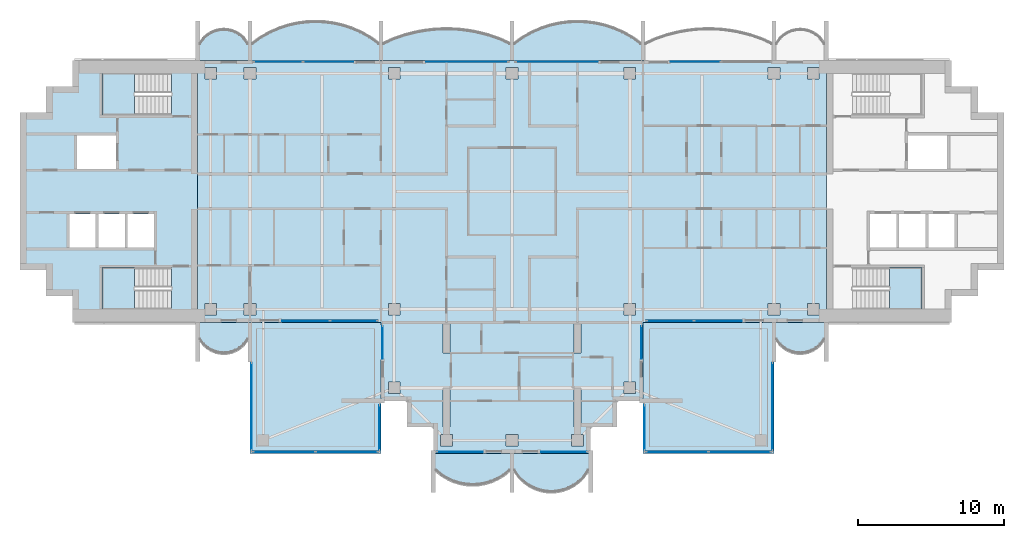
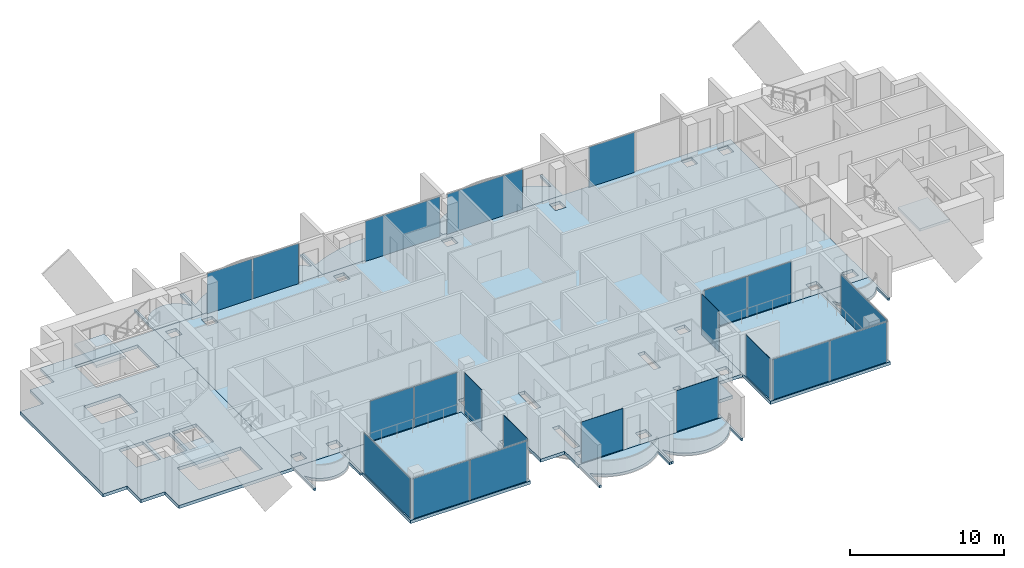
# One storey, part 5 of 16: 21 plates, 15 slabs, 19 elements without a shape of their own.
"""IFC4 building model written with IfcOpenShell, lengths in metres."""

from ifc_helpers import new_model, si_unit, direction, frame, origin, origin_2d, place, context, subcontext, project, spatial, polyline, rectangle, outline, extrude, material, layer, layer_set, type_object, element, aggregate, save


model = new_model("IFC4")

# Units and contexts
model_context = context("Model", 3, precision=1e-05, world=origin(), true_north=direction((0.0, 1.0)))
body_context = subcontext(model_context, "Body", "Model", "MODEL_VIEW")
ifc_project = project(units=[si_unit("LENGTHUNIT", "METRE"), si_unit("AREAUNIT", "SQUARE_METRE"), si_unit("VOLUMEUNIT", "CUBIC_METRE"), si_unit("PLANEANGLEUNIT", "RADIAN"), si_unit("MASSUNIT", "GRAM", prefix="KILO")], contexts=[model_context])

# Site, building, storey
site_placement = place(None, origin())
site = spatial("IfcSite", under=ifc_project, at=site_placement, CompositionType="ELEMENT")
building_placement = place(site_placement, origin())
building = spatial("IfcBuilding", under=site, at=building_placement, Name="Perihelion Cross Residences", CompositionType="ELEMENT")
storey_placement = place(building_placement, frame((0.0, 0.0, 250.0)))
storey = spatial("IfcBuildingStorey", under=building, at=storey_placement, Name="L63", CompositionType="ELEMENT", Elevation=250.0)

# Slabs
ifc_material_1 = material(Name="Concrete C40/50", Category="concrete")
ifc_layer_1 = layer(ifc_material_1, 0.199951171875)
ifc_layer_set_1 = layer_set([ifc_layer_1], Name="Balcony slab 200")
slab_type_1 = type_object("IfcSlabType", Name="Balcony slab 200", PredefinedType="FLOOR", material=ifc_layer_set_1)
slab_1_placement = place(storey_placement, frame((0.0, 0.0, -0.199951171875)))
element("IfcSlab", 1, at=slab_1_placement, inside=storey, type_object=slab_type_1, Name="Slab BK1 L63 north side east bay 1 balcony", PredefinedType="FLOOR", context=body_context, shape_type="SweptSolid", body=[
    extrude(outline(polyline([(9.0, 9.0), (0.0, 9.0), (0.0, 11.699951171875), (0.14990234375, 11.699951171875), (0.14990234375, 10.199951171875), (0.771484375, 10.634765625), (1.392822265625, 10.979248046875), (2.014404296875, 11.247802734375), (2.6357421875, 11.44921875), (3.257080078125, 11.589599609375), (3.878662109375, 11.672607421875), (4.5, 11.699951171875), (5.121337890625, 11.672607421875), (5.742919921875, 11.589599609375), (6.3642578125, 11.44921875), (6.985595703125, 11.247802734375), (7.607177734375, 10.979248046875), (8.228515625, 10.634765625), (8.85009765625, 10.199951171875), (8.85009765625, 11.699951171875), (9.0, 11.699951171875), (9.0, 9.0)])), origin(), (0.0, 0.0, 1.0), 0.199951171875),
])
slab_2_placement = place(storey_placement, frame((0.0, 0.0, -0.199951171875)))
element("IfcSlab", 2, at=slab_2_placement, inside=storey, type_object=slab_type_1, Name="Slab BK1 L63 north side east bay 2 balcony", PredefinedType="FLOOR", context=body_context, shape_type="SweptSolid", body=[
    extrude(outline(polyline([(0.0, 9.0), (-9.0, 9.0), (-9.0, 11.699951171875), (-8.85009765625, 11.699951171875), (-8.85009765625, 10.199951171875), (-8.125, 10.51708984375), (-7.39990234375, 10.7685546875), (-6.675048828125, 10.959716796875), (-5.949951171875, 11.093994140625), (-5.22509765625, 11.173583984375), (-4.5, 11.199951171875), (-3.77490234375, 11.173583984375), (-3.050048828125, 11.093994140625), (-2.324951171875, 10.959716796875), (-1.60009765625, 10.7685546875), (-0.875, 10.51708984375), (-0.14990234375, 10.199951171875), (-0.14990234375, 11.699951171875), (0.0, 11.699951171875), (0.0, 9.0)])), origin(), (0.0, 0.0, 1.0), 0.199951171875),
])
slab_3_placement = place(storey_placement, frame((0.0, 0.0, -0.199951171875)))
element("IfcSlab", 3, at=slab_3_placement, inside=storey, type_object=slab_type_1, Name="Slab BK1 L63 west side north bay 1 balcony", PredefinedType="FLOOR", context=body_context, shape_type="SweptSolid", body=[
    extrude(outline(polyline([(-9.0, 9.0), (-18.0, 9.0), (-18.0, 11.699951171875), (-17.85009765625, 11.699951171875), (-17.85009765625, 10.199951171875), (-17.228515625, 10.634765625), (-16.607177734375, 10.979248046875), (-15.985595703125, 11.247802734375), (-15.3642578125, 11.44921875), (-14.742919921875, 11.589599609375), (-14.121337890625, 11.672607421875), (-13.5, 11.699951171875), (-12.878662109375, 11.672607421875), (-12.257080078125, 11.589599609375), (-11.6357421875, 11.44921875), (-11.014404296875, 11.247802734375), (-10.392822265625, 10.979248046875), (-9.771484375, 10.634765625), (-9.14990234375, 10.199951171875), (-9.14990234375, 11.699951171875), (-9.0, 11.699951171875), (-9.0, 9.0)])), origin(), (0.0, 0.0, 1.0), 0.199951171875),
])
slab_4_placement = place(storey_placement, frame((0.0, 0.0, -0.199951171875)))
element("IfcSlab", 4, at=slab_4_placement, inside=storey, type_object=slab_type_1, Name="Slab BK1 L63 west side north bay 2 balcony", PredefinedType="FLOOR", context=body_context, shape_type="SweptSolid", body=[
    extrude(outline(polyline([(-18.0, 9.0), (-21.60009765625, 9.0), (-21.60009765625, 11.699951171875), (-21.449951171875, 11.699951171875), (-21.449951171875, 10.199951171875), (-21.175048828125, 10.568603515625), (-20.89990234375, 10.806396484375), (-20.625, 10.96875), (-20.35009765625, 11.07568359375), (-20.074951171875, 11.136962890625), (-19.800048828125, 11.156982421875), (-19.52490234375, 11.136962890625), (-19.25, 11.07568359375), (-18.97509765625, 10.96875), (-18.699951171875, 10.806396484375), (-18.425048828125, 10.568603515625), (-18.14990234375, 10.199951171875), (-18.14990234375, 11.699951171875), (-18.0, 11.699951171875), (-18.0, 9.0)])), origin(), (0.0, 0.0, 1.0), 0.199951171875),
])
slab_5_placement = place(storey_placement, frame((0.0, 0.0, -0.199951171875)))
element("IfcSlab", 5, at=slab_5_placement, inside=storey, type_object=slab_type_1, Name="Slab BK1 L63 west side south bay 1 balcony", PredefinedType="FLOOR", context=body_context, shape_type="SweptSolid", body=[
    extrude(outline(polyline([(-21.60009765625, -9.0), (-18.0, -9.0), (-18.0, -11.699951171875), (-18.14990234375, -11.699951171875), (-18.14990234375, -10.199951171875), (-18.425048828125, -10.568603515625), (-18.699951171875, -10.806396484375), (-18.97509765625, -10.96875), (-19.25, -11.07568359375), (-19.52490234375, -11.136962890625), (-19.800048828125, -11.156982421875), (-20.074951171875, -11.136962890625), (-20.35009765625, -11.07568359375), (-20.625, -10.96875), (-20.89990234375, -10.806396484375), (-21.175048828125, -10.568603515625), (-21.449951171875, -10.199951171875), (-21.449951171875, -11.699951171875), (-21.60009765625, -11.699951171875), (-21.60009765625, -9.0)])), origin(), (0.0, 0.0, 1.0), 0.199951171875),
])
slab_6_placement = place(storey_placement, frame((0.0, 0.0, -0.199951171875)))
element("IfcSlab", 6, at=slab_6_placement, inside=storey, type_object=slab_type_1, Name="Slab BK1 L63 south tip south bay 1 balcony", PredefinedType="FLOOR", context=body_context, shape_type="SweptSolid", body=[
    extrude(outline(polyline([(-5.39990234375, -18.0), (0.0, -18.0), (0.0, -20.699951171875), (-0.14990234375, -20.699951171875), (-0.14990234375, -19.199951171875), (-0.574951171875, -19.5400390625), (-1.0, -19.792724609375), (-1.425048828125, -19.9765625), (-1.85009765625, -20.1025390625), (-2.27490234375, -20.17578125), (-2.699951171875, -20.199951171875), (-3.125, -20.17578125), (-3.550048828125, -20.1025390625), (-3.97509765625, -19.9765625), (-4.39990234375, -19.792724609375), (-4.824951171875, -19.5400390625), (-5.25, -19.199951171875), (-5.25, -20.699951171875), (-5.39990234375, -20.699951171875), (-5.39990234375, -18.0)])), origin(), (0.0, 0.0, 1.0), 0.199951171875),
])
slab_7_placement = place(storey_placement, frame((0.0, 0.0, -0.199951171875)))
element("IfcSlab", 7, at=slab_7_placement, inside=storey, type_object=slab_type_1, Name="Slab BK1 L63 south tip south bay 2 balcony", PredefinedType="FLOOR", context=body_context, shape_type="SweptSolid", body=[
    extrude(outline(polyline([(0.0, -18.0), (5.39990234375, -18.0), (5.39990234375, -20.699951171875), (5.25, -20.699951171875), (5.25, -19.199951171875), (4.909912109375, -19.6767578125), (4.570068359375, -20.007080078125), (4.22998046875, -20.2490234375), (3.889892578125, -20.42724609375), (3.550048828125, -20.553466796875), (3.2099609375, -20.63427734375), (2.8701171875, -20.674072265625), (2.530029296875, -20.674072265625), (2.18994140625, -20.63427734375), (1.85009765625, -20.553466796875), (1.510009765625, -20.42724609375), (1.169921875, -20.2490234375), (0.830078125, -20.007080078125), (0.489990234375, -19.6767578125), (0.14990234375, -19.199951171875), (0.14990234375, -20.699951171875), (0.0, -20.699951171875), (0.0, -18.0)])), origin(), (0.0, 0.0, 1.0), 0.199951171875),
])
slab_8_placement = place(storey_placement, frame((0.0, 0.0, -0.199951171875)))
element("IfcSlab", 8, at=slab_8_placement, inside=storey, type_object=slab_type_1, Name="Slab BK1 L63 east side south bay 2 balcony", PredefinedType="FLOOR", context=body_context, shape_type="SweptSolid", body=[
    extrude(outline(polyline([(18.0, -9.0), (21.60009765625, -9.0), (21.60009765625, -11.699951171875), (21.449951171875, -11.699951171875), (21.449951171875, -10.199951171875), (21.175048828125, -10.568603515625), (20.89990234375, -10.806396484375), (20.625, -10.96875), (20.35009765625, -11.07568359375), (20.074951171875, -11.136962890625), (19.800048828125, -11.156982421875), (19.52490234375, -11.136962890625), (19.25, -11.07568359375), (18.97509765625, -10.96875), (18.699951171875, -10.806396484375), (18.425048828125, -10.568603515625), (18.14990234375, -10.199951171875), (18.14990234375, -11.699951171875), (18.0, -11.699951171875), (18.0, -9.0)])), origin(), (0.0, 0.0, 1.0), 0.199951171875),
])

# Curtain wall, plate
ifc_material_2 = material(Name="Bronze anodised aluminium, tinted glazing", Category="aluminium")
curtain_wall_type_1 = type_object("IfcCurtainWallType", Name="CW1", PredefinedType="NOTDEFINED", material=ifc_material_2)
curtain_wall_1_placement = place(storey_placement, origin())
curtain_wall_1 = element("IfcCurtainWall", 9, at=curtain_wall_1_placement, inside=storey, type_object=curtain_wall_type_1, Name="Curtain wall CW1 L63 east side north bay 2", PredefinedType="NOTDEFINED")
ifc_material_3 = material(Name="Tinted laminated glass", Category="glass")
ifc_layer_2 = layer(ifc_material_3, 0.028076171875)
ifc_layer_set_2 = layer_set([ifc_layer_2], Name="CW1 panel")
plate_type_1 = type_object("IfcPlateType", Name="CW1 panel", PredefinedType="CURTAIN_PANEL", material=ifc_layer_set_2)
plate_1_placement = place(storey_placement, frame((12.610107421875, 8.89990234375, 0.0), z_axis=(0.0, 0.0, 1.0), x_axis=(-1.0, 0.0, 0.0)))
plate_1 = element("IfcPlate", 10, at=plate_1_placement, type_object=plate_type_1, Name="CW1 panel 2", PredefinedType="CURTAIN_PANEL", context=body_context, shape_type="SweptSolid", body=[
    extrude(rectangle(XDim=3.419921875, YDim=0.028076171875, at=origin_2d()), origin(), (0.0, 0.0, 1.0), 3.18994140625),
])
aggregate(curtain_wall_1, [plate_1])

curtain_wall_2_placement = place(storey_placement, origin())
curtain_wall_2 = element("IfcCurtainWall", 11, at=curtain_wall_2_placement, inside=storey, type_object=curtain_wall_type_1, Name="Curtain wall CW1 L63 north side east bay 1", PredefinedType="NOTDEFINED")
plate_2_placement = place(storey_placement, frame((3.080078125, 8.89990234375, 0.0), z_axis=(0.0, 0.0, 1.0), x_axis=(-1.0, 0.0, 0.0)))
plate_2 = element("IfcPlate", 12, at=plate_2_placement, type_object=plate_type_1, Name="CW1 panel 1", PredefinedType="CURTAIN_PANEL", context=body_context, shape_type="SweptSolid", body=[
    extrude(rectangle(XDim=5.639892578125, YDim=0.028076171875, at=origin_2d()), origin(), (0.0, 0.0, 1.0), 3.18994140625),
])
aggregate(curtain_wall_2, [plate_2])

curtain_wall_3_placement = place(storey_placement, origin())
curtain_wall_3 = element("IfcCurtainWall", 13, at=curtain_wall_3_placement, inside=storey, type_object=curtain_wall_type_1, Name="Curtain wall CW1 L63 north side east bay 2", PredefinedType="NOTDEFINED")
plate_3_placement = place(storey_placement, frame((-3.080078125, 8.89990234375, 0.0), z_axis=(0.0, 0.0, 1.0), x_axis=(-1.0, 0.0, 0.0)))
plate_3 = element("IfcPlate", 14, at=plate_3_placement, type_object=plate_type_1, Name="CW1 panel 1", PredefinedType="CURTAIN_PANEL", context=body_context, shape_type="SweptSolid", body=[
    extrude(rectangle(XDim=5.639892578125, YDim=0.028076171875, at=origin_2d()), origin(), (0.0, 0.0, 1.0), 3.18994140625),
])
aggregate(curtain_wall_3, [plate_3])

# Curtain wall, plates
curtain_wall_4_placement = place(storey_placement, origin())
curtain_wall_4 = element("IfcCurtainWall", 15, at=curtain_wall_4_placement, inside=storey, type_object=curtain_wall_type_1, Name="Curtain wall CW1 L63 west side north bay 1", PredefinedType="NOTDEFINED")
plate_4_placement = place(storey_placement, frame((-12.610107421875, 8.89990234375, 0.0), z_axis=(0.0, 0.0, 1.0), x_axis=(-1.0, 0.0, 0.0)))
plate_4 = element("IfcPlate", 16, at=plate_4_placement, type_object=plate_type_1, Name="CW1 panel 1", PredefinedType="CURTAIN_PANEL", context=body_context, shape_type="SweptSolid", body=[
    extrude(rectangle(XDim=3.419921875, YDim=0.028076171875, at=origin_2d()), origin(), (0.0, 0.0, 1.0), 3.18994140625),
])
plate_5_placement = place(storey_placement, frame((-16.06005859375, 8.89990234375, 0.0), z_axis=(0.0, 0.0, 1.0), x_axis=(-1.0, 0.0, 0.0)))
plate_5 = element("IfcPlate", 17, at=plate_5_placement, type_object=plate_type_1, Name="CW1 panel 2", PredefinedType="CURTAIN_PANEL", context=body_context, shape_type="SweptSolid", body=[
    extrude(rectangle(XDim=3.360107421875, YDim=0.028076171875, at=origin_2d()), origin(), (0.0, 0.0, 1.0), 3.18994140625),
])
aggregate(curtain_wall_4, [plate_4, plate_5])

curtain_wall_5_placement = place(storey_placement, origin())
curtain_wall_5 = element("IfcCurtainWall", 18, at=curtain_wall_5_placement, inside=storey, type_object=curtain_wall_type_1, Name="Curtain wall CW1 L63 west side south bay 2", PredefinedType="NOTDEFINED")
plate_6_placement = place(storey_placement, frame((-14.1650390625, -8.89990234375, 0.0), z_axis=(0.0, 0.0, 1.0), x_axis=(1.0, 0.0, 0.0)))
plate_6 = element("IfcPlate", 19, at=plate_6_placement, type_object=plate_type_1, Name="CW1 panel 1", PredefinedType="CURTAIN_PANEL", context=body_context, shape_type="SweptSolid", body=[
    extrude(rectangle(XDim=3.27001953125, YDim=0.028076171875, at=origin_2d()), origin(), (0.0, 0.0, 1.0), 3.18994140625),
])
plate_7_placement = place(storey_placement, frame((-10.864990234375, -8.89990234375, 0.0), z_axis=(0.0, 0.0, 1.0), x_axis=(1.0, 0.0, 0.0)))
plate_7 = element("IfcPlate", 20, at=plate_7_placement, type_object=plate_type_1, Name="CW1 panel 2", PredefinedType="CURTAIN_PANEL", context=body_context, shape_type="SweptSolid", body=[
    extrude(rectangle(XDim=3.2099609375, YDim=0.028076171875, at=origin_2d()), origin(), (0.0, 0.0, 1.0), 3.18994140625),
])
aggregate(curtain_wall_5, [plate_6, plate_7])

# Curtain wall, plate
curtain_wall_6_placement = place(storey_placement, origin())
curtain_wall_6 = element("IfcCurtainWall", 21, at=curtain_wall_6_placement, inside=storey, type_object=curtain_wall_type_1, Name="Curtain wall CW1 L63 south side west bay 1", PredefinedType="NOTDEFINED")
plate_8_placement = place(storey_placement, frame((-8.89990234375, -10.3798828125, 0.0), z_axis=(0.0, 0.0, 1.0), x_axis=(0.0, -1.0, 0.0)))
plate_8 = element("IfcPlate", 22, at=plate_8_placement, type_object=plate_type_1, Name="CW1 panel 1", PredefinedType="CURTAIN_PANEL", context=body_context, shape_type="SweptSolid", body=[
    extrude(rectangle(XDim=2.239990234375, YDim=0.028076171875, at=origin_2d()), origin(), (0.0, 0.0, 1.0), 3.25),
])
aggregate(curtain_wall_6, [plate_8])

curtain_wall_7_placement = place(storey_placement, origin())
curtain_wall_7 = element("IfcCurtainWall", 23, at=curtain_wall_7_placement, inside=storey, type_object=curtain_wall_type_1, Name="Curtain wall CW1 L63 south tip south bay 1", PredefinedType="NOTDEFINED")
plate_9_placement = place(storey_placement, frame((-3.570068359375, -17.89990234375, 0.0), z_axis=(0.0, 0.0, 1.0), x_axis=(1.0, 0.0, 0.0)))
plate_9 = element("IfcPlate", 24, at=plate_9_placement, type_object=plate_type_1, Name="CW1 panel 1", PredefinedType="CURTAIN_PANEL", context=body_context, shape_type="SweptSolid", body=[
    extrude(rectangle(XDim=3.139892578125, YDim=0.028076171875, at=origin_2d()), origin(), (0.0, 0.0, 1.0), 3.25),
])
aggregate(curtain_wall_7, [plate_9])

curtain_wall_8_placement = place(storey_placement, origin())
curtain_wall_8 = element("IfcCurtainWall", 25, at=curtain_wall_8_placement, inside=storey, type_object=curtain_wall_type_1, Name="Curtain wall CW1 L63 south tip south bay 2", PredefinedType="NOTDEFINED")
plate_10_placement = place(storey_placement, frame((3.570068359375, -17.89990234375, 0.0), z_axis=(0.0, 0.0, 1.0), x_axis=(1.0, 0.0, 0.0)))
plate_10 = element("IfcPlate", 26, at=plate_10_placement, type_object=plate_type_1, Name="CW1 panel 1", PredefinedType="CURTAIN_PANEL", context=body_context, shape_type="SweptSolid", body=[
    extrude(rectangle(XDim=3.139892578125, YDim=0.028076171875, at=origin_2d()), origin(), (0.0, 0.0, 1.0), 3.25),
])
aggregate(curtain_wall_8, [plate_10])

curtain_wall_9_placement = place(storey_placement, origin())
curtain_wall_9 = element("IfcCurtainWall", 27, at=curtain_wall_9_placement, inside=storey, type_object=curtain_wall_type_1, Name="Curtain wall CW1 L63 south side east bay 1", PredefinedType="NOTDEFINED")
plate_11_placement = place(storey_placement, frame((8.89990234375, -10.3798828125, 0.0), z_axis=(0.0, 0.0, 1.0), x_axis=(0.0, 1.0, 0.0)))
plate_11 = element("IfcPlate", 28, at=plate_11_placement, type_object=plate_type_1, Name="CW1 panel 1", PredefinedType="CURTAIN_PANEL", context=body_context, shape_type="SweptSolid", body=[
    extrude(rectangle(XDim=2.239990234375, YDim=0.028076171875, at=origin_2d()), origin(), (0.0, 0.0, 1.0), 3.25),
])
aggregate(curtain_wall_9, [plate_11])

# Curtain wall, plates
curtain_wall_10_placement = place(storey_placement, origin())
curtain_wall_10 = element("IfcCurtainWall", 29, at=curtain_wall_10_placement, inside=storey, type_object=curtain_wall_type_1, Name="Curtain wall CW1 L63 east side south bay 1", PredefinedType="NOTDEFINED")
plate_12_placement = place(storey_placement, frame((10.864990234375, -8.89990234375, 0.0), z_axis=(0.0, 0.0, 1.0), x_axis=(1.0, 0.0, 0.0)))
plate_12 = element("IfcPlate", 30, at=plate_12_placement, type_object=plate_type_1, Name="CW1 panel 1", PredefinedType="CURTAIN_PANEL", context=body_context, shape_type="SweptSolid", body=[
    extrude(rectangle(XDim=3.2099609375, YDim=0.028076171875, at=origin_2d()), origin(), (0.0, 0.0, 1.0), 3.18994140625),
])
plate_13_placement = place(storey_placement, frame((14.1650390625, -8.89990234375, 0.0), z_axis=(0.0, 0.0, 1.0), x_axis=(1.0, 0.0, 0.0)))
plate_13 = element("IfcPlate", 31, at=plate_13_placement, type_object=plate_type_1, Name="CW1 panel 2", PredefinedType="CURTAIN_PANEL", context=body_context, shape_type="SweptSolid", body=[
    extrude(rectangle(XDim=3.27001953125, YDim=0.028076171875, at=origin_2d()), origin(), (0.0, 0.0, 1.0), 3.18994140625),
])
aggregate(curtain_wall_10, [plate_12, plate_13])

# Curtain wall, plate
ifc_material_4 = material(Name="Bronze anodised aluminium, tinted glazing", Category="aluminium")
curtain_wall_type_2 = type_object("IfcCurtainWallType", Name="CW4", PredefinedType="NOTDEFINED", material=ifc_material_4)
curtain_wall_11_placement = place(storey_placement, origin())
curtain_wall_11 = element("IfcCurtainWall", 32, at=curtain_wall_11_placement, inside=storey, type_object=curtain_wall_type_2, Name="Curtain wall CW4 L63 pocket south-east 1 1", PredefinedType="NOTDEFINED")
ifc_material_5 = material(Name="Tinted laminated glass", Category="glass")
ifc_layer_3 = layer(ifc_material_5, 0.030029296875)
ifc_layer_set_3 = layer_set([ifc_layer_3], Name="CW4 panel")
plate_type_2 = type_object("IfcPlateType", Name="CW4 panel", PredefinedType="CURTAIN_PANEL", material=ifc_layer_set_3)
plate_14_placement = place(storey_placement, frame((17.89990234375, -14.784912109375, 0.0), z_axis=(0.0, 0.0, 1.0), x_axis=(0.0, -1.0, 0.0)))
plate_14 = element("IfcPlate", 33, at=plate_14_placement, type_object=plate_type_2, Name="CW4 panel 1", PredefinedType="CURTAIN_PANEL", context=body_context, shape_type="SweptSolid", body=[
    extrude(rectangle(XDim=5.969970703125, YDim=0.030029296875, at=origin_2d()), origin(), (0.0, 0.0, 1.0), 3.18994140625),
])
aggregate(curtain_wall_11, [plate_14])

# Curtain wall, plates
curtain_wall_12_placement = place(storey_placement, origin())
curtain_wall_12 = element("IfcCurtainWall", 34, at=curtain_wall_12_placement, inside=storey, type_object=curtain_wall_type_2, Name="Curtain wall CW4 L63 pocket south-east 1 2", PredefinedType="NOTDEFINED")
plate_15_placement = place(storey_placement, frame((15.64990234375, -17.89990234375, 0.0), z_axis=(0.0, 0.0, 1.0), x_axis=(-1.0, 0.0, 0.0)))
plate_15 = element("IfcPlate", 35, at=plate_15_placement, type_object=plate_type_2, Name="CW4 panel 1", PredefinedType="CURTAIN_PANEL", context=body_context, shape_type="SweptSolid", body=[
    extrude(rectangle(XDim=4.239990234375, YDim=0.030029296875, at=origin_2d()), origin(), (0.0, 0.0, 1.0), 3.18994140625),
])
plate_16_placement = place(storey_placement, frame((11.35009765625, -17.89990234375, 0.0), z_axis=(0.0, 0.0, 1.0), x_axis=(-1.0, 0.0, 0.0)))
plate_16 = element("IfcPlate", 36, at=plate_16_placement, type_object=plate_type_2, Name="CW4 panel 2", PredefinedType="CURTAIN_PANEL", context=body_context, shape_type="SweptSolid", body=[
    extrude(rectangle(XDim=4.239990234375, YDim=0.030029296875, at=origin_2d()), origin(), (0.0, 0.0, 1.0), 3.18994140625),
])
aggregate(curtain_wall_12, [plate_15, plate_16])

# Curtain wall, plate
curtain_wall_13_placement = place(storey_placement, origin())
curtain_wall_13 = element("IfcCurtainWall", 37, at=curtain_wall_13_placement, inside=storey, type_object=curtain_wall_type_2, Name="Curtain wall CW4 L63 pocket south-east 1 3", PredefinedType="NOTDEFINED")
plate_17_placement = place(storey_placement, frame((9.10009765625, -16.2294921875, 0.0), z_axis=(0.0, 0.0, 1.0), x_axis=(0.0, 1.0, 0.0)))
plate_17 = element("IfcPlate", 38, at=plate_17_placement, type_object=plate_type_2, Name="CW4 panel 1", PredefinedType="CURTAIN_PANEL", context=body_context, shape_type="SweptSolid", body=[
    extrude(rectangle(XDim=3.0810546875, YDim=0.030029296875, at=origin_2d()), origin(), (0.0, 0.0, 1.0), 3.25),
])
aggregate(curtain_wall_13, [plate_17])

curtain_wall_14_placement = place(storey_placement, origin())
curtain_wall_14 = element("IfcCurtainWall", 39, at=curtain_wall_14_placement, inside=storey, type_object=curtain_wall_type_2, Name="Curtain wall CW4 L63 pocket south-west 1 1", PredefinedType="NOTDEFINED")
plate_18_placement = place(storey_placement, frame((-9.10009765625, -16.2294921875, 0.0), z_axis=(0.0, 0.0, 1.0), x_axis=(0.0, -1.0, 0.0)))
plate_18 = element("IfcPlate", 40, at=plate_18_placement, type_object=plate_type_2, Name="CW4 panel 1", PredefinedType="CURTAIN_PANEL", context=body_context, shape_type="SweptSolid", body=[
    extrude(rectangle(XDim=3.0810546875, YDim=0.030029296875, at=origin_2d()), origin(), (0.0, 0.0, 1.0), 3.25),
])
aggregate(curtain_wall_14, [plate_18])

# Curtain wall, plates
curtain_wall_15_placement = place(storey_placement, origin())
curtain_wall_15 = element("IfcCurtainWall", 41, at=curtain_wall_15_placement, inside=storey, type_object=curtain_wall_type_2, Name="Curtain wall CW4 L63 pocket south-west 1 2", PredefinedType="NOTDEFINED")
plate_19_placement = place(storey_placement, frame((-11.35009765625, -17.89990234375, 0.0), z_axis=(0.0, 0.0, 1.0), x_axis=(-1.0, 0.0, 0.0)))
plate_19 = element("IfcPlate", 42, at=plate_19_placement, type_object=plate_type_2, Name="CW4 panel 1", PredefinedType="CURTAIN_PANEL", context=body_context, shape_type="SweptSolid", body=[
    extrude(rectangle(XDim=4.239990234375, YDim=0.030029296875, at=origin_2d()), origin(), (0.0, 0.0, 1.0), 3.18994140625),
])
plate_20_placement = place(storey_placement, frame((-15.64990234375, -17.89990234375, 0.0), z_axis=(0.0, 0.0, 1.0), x_axis=(-1.0, 0.0, 0.0)))
plate_20 = element("IfcPlate", 43, at=plate_20_placement, type_object=plate_type_2, Name="CW4 panel 2", PredefinedType="CURTAIN_PANEL", context=body_context, shape_type="SweptSolid", body=[
    extrude(rectangle(XDim=4.239990234375, YDim=0.030029296875, at=origin_2d()), origin(), (0.0, 0.0, 1.0), 3.18994140625),
])
aggregate(curtain_wall_15, [plate_19, plate_20])

# Curtain wall, plate
curtain_wall_16_placement = place(storey_placement, origin())
curtain_wall_16 = element("IfcCurtainWall", 44, at=curtain_wall_16_placement, inside=storey, type_object=curtain_wall_type_2, Name="Curtain wall CW4 L63 pocket south-west 1 3", PredefinedType="NOTDEFINED")
plate_21_placement = place(storey_placement, frame((-17.89990234375, -14.784912109375, 0.0), z_axis=(0.0, 0.0, 1.0), x_axis=(0.0, 1.0, 0.0)))
plate_21 = element("IfcPlate", 45, at=plate_21_placement, type_object=plate_type_2, Name="CW4 panel 1", PredefinedType="CURTAIN_PANEL", context=body_context, shape_type="SweptSolid", body=[
    extrude(rectangle(XDim=5.969970703125, YDim=0.030029296875, at=origin_2d()), origin(), (0.0, 0.0, 1.0), 3.18994140625),
])
aggregate(curtain_wall_16, [plate_21])

# Slab
ifc_material_6 = material(Name="Concrete C40/50", Category="concrete")
ifc_layer_4 = layer(ifc_material_6, 0.25)
ifc_layer_set_4 = layer_set([ifc_layer_4], Name="Core floor slab 250")
slab_type_2 = type_object("IfcSlabType", Name="Core floor slab 250", PredefinedType="FLOOR", material=ifc_layer_set_4)
slab_9_placement = place(storey_placement, frame((0.0, 0.0, -0.25)))
element("IfcSlab", 46, at=slab_9_placement, inside=storey, type_object=slab_type_2, Name="West core floor slab", PredefinedType="FLOOR", context=body_context, shape_type="SweptSolid", body=[
    extrude(outline(polyline([(-30.199951171875, 7.199951171875), (-32.0, 7.199951171875), (-32.0, 5.39990234375), (-33.800048828125, 5.39990234375), (-33.800048828125, -5.39990234375), (-32.0, -5.39990234375), (-32.0, -7.199951171875), (-30.199951171875, -7.199951171875), (-30.199951171875, -9.0), (-21.60009765625, -9.0), (-21.60009765625, 9.0), (-30.199951171875, 9.0), (-30.199951171875, 7.199951171875)]), holes=[polyline([(-28.14990234375, -8.10009765625), (-28.14990234375, -5.25), (-23.405029296875, -5.25), (-23.405029296875, -8.10009765625), (-28.14990234375, -8.10009765625)]), polyline([(-24.60009765625, -1.550048828125), (-24.60009765625, -3.85009765625), (-26.39990234375, -3.85009765625), (-26.39990234375, -1.550048828125), (-24.60009765625, -1.550048828125)]), polyline([(-26.60009765625, -1.550048828125), (-26.60009765625, -3.85009765625), (-28.39990234375, -3.85009765625), (-28.39990234375, -1.550048828125), (-26.60009765625, -1.550048828125)]), polyline([(-28.60009765625, -3.85009765625), (-30.39990234375, -3.85009765625), (-30.39990234375, -1.550048828125), (-28.60009765625, -1.550048828125), (-28.60009765625, -3.85009765625)]), polyline([(-27.199951171875, 3.85009765625), (-27.199951171875, 1.550048828125), (-29.89990234375, 1.550048828125), (-29.89990234375, 3.85009765625), (-27.199951171875, 3.85009765625)]), polyline([(-23.405029296875, 5.25), (-28.14990234375, 5.25), (-28.14990234375, 8.10009765625), (-23.405029296875, 8.10009765625), (-23.405029296875, 5.25)])]), origin(), (0.0, 0.0, 1.0), 0.25),
])

# Stair, slab
ifc_material_7 = material(Name="Concrete C40/50", Category="concrete")
stair_type = type_object("IfcStairType", Name="Exit stair, half-turn", PredefinedType="HALF_TURN_STAIR", material=ifc_material_7)
stair_1_placement = place(storey_placement, origin())
stair_1 = element("IfcStair", 47, at=stair_1_placement, inside=storey, type_object=stair_type, Name="L63 East core exit stair 2", PredefinedType="HALF_TURN_STAIR")
ifc_material_8 = material(Name="Concrete C40/50", Category="concrete")
ifc_layer_5 = layer(ifc_material_8, 0.199951171875)
ifc_layer_set_5 = layer_set([ifc_layer_5], Name="Exit stair landing 200")
slab_type_3 = type_object("IfcSlabType", Name="Exit stair landing 200", PredefinedType="LANDING", material=ifc_layer_set_5)
slab_10_placement = place(storey_placement, frame((0.0, 0.0, 1.550048828125)))
slab_10 = element("IfcSlab", 48, at=slab_10_placement, type_object=slab_type_3, Name="ST-E2 landing 1", PredefinedType="LANDING", context=body_context, shape_type="SweptSolid", body=[
    extrude(outline(polyline([(25.919921875, -8.10009765625), (28.14990234375, -8.10009765625), (28.14990234375, -5.25), (25.919921875, -5.25), (25.919921875, -8.10009765625)])), origin(), (0.0, 0.0, 1.0), 0.199951171875),
])
aggregate(stair_1, [slab_10])

stair_2_placement = place(storey_placement, origin())
stair_2 = element("IfcStair", 49, at=stair_2_placement, inside=storey, type_object=stair_type, Name="L63 West core exit stair 1", PredefinedType="HALF_TURN_STAIR")
slab_11_placement = place(storey_placement, frame((0.0, 0.0, 1.550048828125)))
slab_11 = element("IfcSlab", 50, at=slab_11_placement, type_object=slab_type_3, Name="ST-W1 landing 1", PredefinedType="LANDING", context=body_context, shape_type="SweptSolid", body=[
    extrude(outline(polyline([(-25.919921875, 8.10009765625), (-28.14990234375, 8.10009765625), (-28.14990234375, 5.25), (-25.919921875, 5.25), (-25.919921875, 8.10009765625)])), origin(), (0.0, 0.0, 1.0), 0.199951171875),
])
aggregate(stair_2, [slab_11])

stair_3_placement = place(storey_placement, origin())
stair_3 = element("IfcStair", 51, at=stair_3_placement, inside=storey, type_object=stair_type, Name="L63 West core exit stair 2", PredefinedType="HALF_TURN_STAIR")
slab_12_placement = place(storey_placement, frame((0.0, 0.0, 1.550048828125)))
slab_12 = element("IfcSlab", 52, at=slab_12_placement, type_object=slab_type_3, Name="ST-W2 landing 1", PredefinedType="LANDING", context=body_context, shape_type="SweptSolid", body=[
    extrude(outline(polyline([(-25.919921875, -5.25), (-28.14990234375, -5.25), (-28.14990234375, -8.10009765625), (-25.919921875, -8.10009765625), (-25.919921875, -5.25)])), origin(), (0.0, 0.0, 1.0), 0.199951171875),
])
aggregate(stair_3, [slab_12])

# Slabs
ifc_material_9 = material(Name="Concrete C50/60", Category="concrete")
ifc_layer_6 = layer(ifc_material_9, 0.25)
ifc_layer_set_6 = layer_set([ifc_layer_6], Name="Residential floor post-tensioned slab concrete C50/60")
slab_type_4 = type_object("IfcSlabType", Name="Residential floor post-tensioned slab concrete C50/60", PredefinedType="FLOOR", material=ifc_layer_set_6)
slab_13_placement = place(storey_placement, frame((0.0, 0.0, -0.25)))
element("IfcSlab", 53, at=slab_13_placement, inside=storey, type_object=slab_type_4, Name="Slab SL8 L63 1 no. 1", PredefinedType="FLOOR", context=body_context, shape_type="SweptSolid", body=[
    extrude(outline(polyline([(-9.0, 9.0), (9.0, 9.0), (21.60009765625, 9.0), (21.60009765625, -9.0), (9.0, -9.0), (9.0, -14.39990234375), (7.199951171875, -14.39990234375), (7.199951171875, -16.199951171875), (5.39990234375, -16.199951171875), (5.39990234375, -18.0), (-5.39990234375, -18.0), (-5.39990234375, -16.199951171875), (-7.199951171875, -16.199951171875), (-7.199951171875, -14.39990234375), (-9.0, -14.39990234375), (-9.0, -9.0), (-21.60009765625, -9.0), (-21.60009765625, 9.0), (-9.0, 9.0)]), holes=[polyline([(-4.10009765625, -16.699951171875), (-4.89990234375, -16.699951171875), (-4.89990234375, -17.5), (-4.10009765625, -17.5), (-4.10009765625, -16.699951171875)]), polyline([(0.39990234375, -17.5), (0.39990234375, -16.699951171875), (-0.39990234375, -16.699951171875), (-0.39990234375, -17.5), (0.39990234375, -17.5)]), polyline([(-4.25, -16.199951171875), (-4.25, -13.5), (-4.75, -13.5), (-4.75, -16.199951171875), (-4.25, -16.199951171875)]), polyline([(-7.699951171875, -13.10009765625), (-8.5, -13.10009765625), (-8.5, -13.89990234375), (-7.699951171875, -13.89990234375), (-7.699951171875, -13.10009765625)]), polyline([(-4.25, -11.10009765625), (-4.25, -9.0), (-4.75, -9.0), (-4.75, -11.10009765625), (-4.25, -11.10009765625)]), polyline([(-20.300048828125, -8.5), (-20.300048828125, -7.699951171875), (-21.10009765625, -7.699951171875), (-21.10009765625, -8.5), (-20.300048828125, -8.5)]), polyline([(-17.60009765625, -7.699951171875), (-18.39990234375, -7.699951171875), (-18.39990234375, -8.5), (-17.60009765625, -8.5), (-17.60009765625, -7.699951171875)]), polyline([(-7.699951171875, -8.5), (-7.699951171875, -7.699951171875), (-8.5, -7.699951171875), (-8.5, -8.5), (-7.699951171875, -8.5)]), polyline([(-20.300048828125, 8.5), (-21.10009765625, 8.5), (-21.10009765625, 7.699951171875), (-20.300048828125, 7.699951171875), (-20.300048828125, 8.5)]), polyline([(-17.60009765625, 7.699951171875), (-17.60009765625, 8.5), (-18.39990234375, 8.5), (-18.39990234375, 7.699951171875), (-17.60009765625, 7.699951171875)]), polyline([(-7.699951171875, 7.699951171875), (-7.699951171875, 8.5), (-8.5, 8.5), (-8.5, 7.699951171875), (-7.699951171875, 7.699951171875)]), polyline([(4.89990234375, -16.699951171875), (4.10009765625, -16.699951171875), (4.10009765625, -17.5), (4.89990234375, -17.5), (4.89990234375, -16.699951171875)]), polyline([(4.75, -16.199951171875), (4.75, -13.5), (4.25, -13.5), (4.25, -16.199951171875), (4.75, -16.199951171875)]), polyline([(8.5, -13.89990234375), (8.5, -13.10009765625), (7.699951171875, -13.10009765625), (7.699951171875, -13.89990234375), (8.5, -13.89990234375)]), polyline([(4.75, -9.0), (4.25, -9.0), (4.25, -11.10009765625), (4.75, -11.10009765625), (4.75, -9.0)]), polyline([(8.5, -8.5), (8.5, -7.699951171875), (7.699951171875, -7.699951171875), (7.699951171875, -8.5), (8.5, -8.5)]), polyline([(18.39990234375, -8.5), (18.39990234375, -7.699951171875), (17.60009765625, -7.699951171875), (17.60009765625, -8.5), (18.39990234375, -8.5)]), polyline([(21.10009765625, -7.699951171875), (20.300048828125, -7.699951171875), (20.300048828125, -8.5), (21.10009765625, -8.5), (21.10009765625, -7.699951171875)]), polyline([(0.39990234375, 7.699951171875), (0.39990234375, 8.5), (-0.39990234375, 8.5), (-0.39990234375, 7.699951171875), (0.39990234375, 7.699951171875)]), polyline([(8.5, 8.5), (7.699951171875, 8.5), (7.699951171875, 7.699951171875), (8.5, 7.699951171875), (8.5, 8.5)]), polyline([(18.39990234375, 7.699951171875), (18.39990234375, 8.5), (17.60009765625, 8.5), (17.60009765625, 7.699951171875), (18.39990234375, 7.699951171875)]), polyline([(21.10009765625, 7.699951171875), (21.10009765625, 8.5), (20.300048828125, 8.5), (20.300048828125, 7.699951171875), (21.10009765625, 7.699951171875)])]), origin(), (0.0, 0.0, 1.0), 0.25),
])
ifc_material_10 = material(Name="Concrete C40/50", Category="concrete")
ifc_layer_7 = layer(ifc_material_10, 0.25)
ifc_layer_set_7 = layer_set([ifc_layer_7], Name="Winter garden slab")
slab_type_5 = type_object("IfcSlabType", Name="Winter garden slab", PredefinedType="FLOOR", material=ifc_layer_set_7)
slab_14_placement = place(storey_placement, frame((0.0, 0.0, -0.25)))
element("IfcSlab", 54, at=slab_14_placement, inside=storey, type_object=slab_type_5, Name="Slab BK3 L63 pocket south-west", PredefinedType="FLOOR", context=body_context, shape_type="SweptSolid", body=[
    extrude(outline(polyline([(-9.0, -18.0), (-9.0, -9.0), (-18.0, -9.0), (-18.0, -18.0), (-9.0, -18.0)])), origin(), (0.0, 0.0, 1.0), 0.25),
])
slab_15_placement = place(storey_placement, frame((0.0, 0.0, -0.25)))
element("IfcSlab", 55, at=slab_15_placement, inside=storey, type_object=slab_type_5, Name="Slab BK3 L63 pocket south-east", PredefinedType="FLOOR", context=body_context, shape_type="SweptSolid", body=[
    extrude(outline(polyline([(18.0, -18.0), (18.0, -9.0), (9.0, -9.0), (9.0, -18.0), (18.0, -18.0)])), origin(), (0.0, 0.0, 1.0), 0.25),
])

save(model, "model.ifc")
